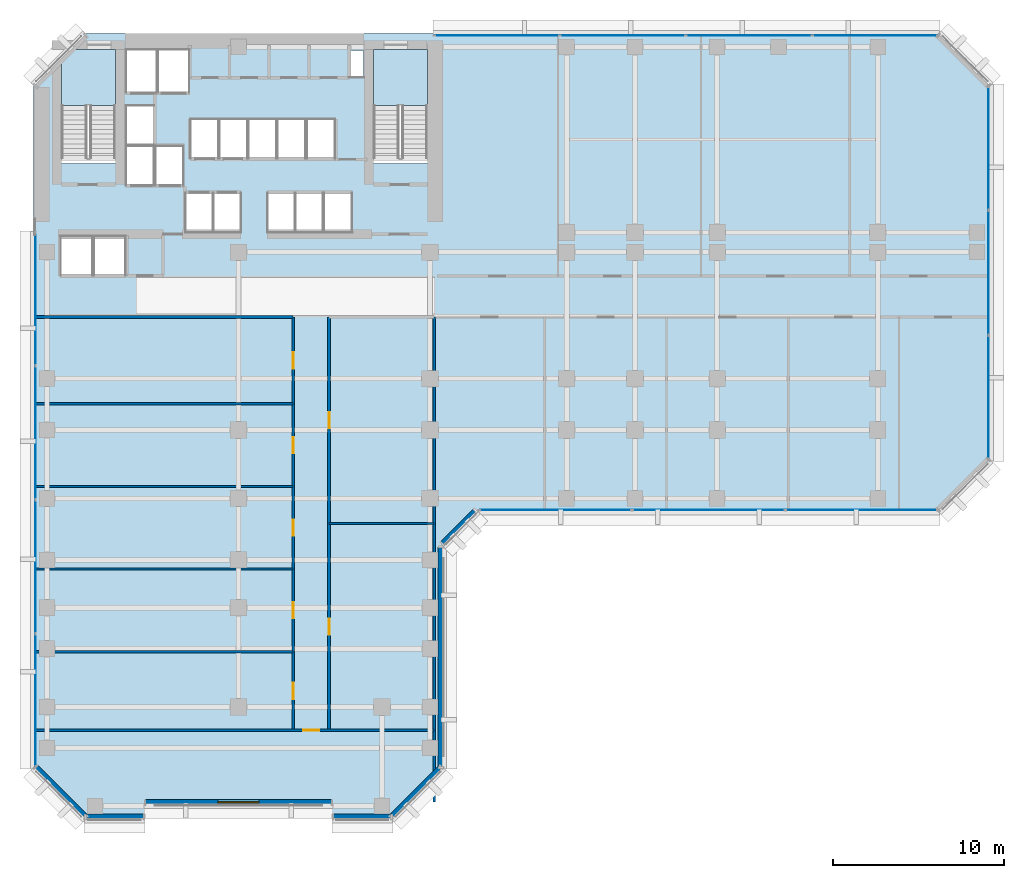
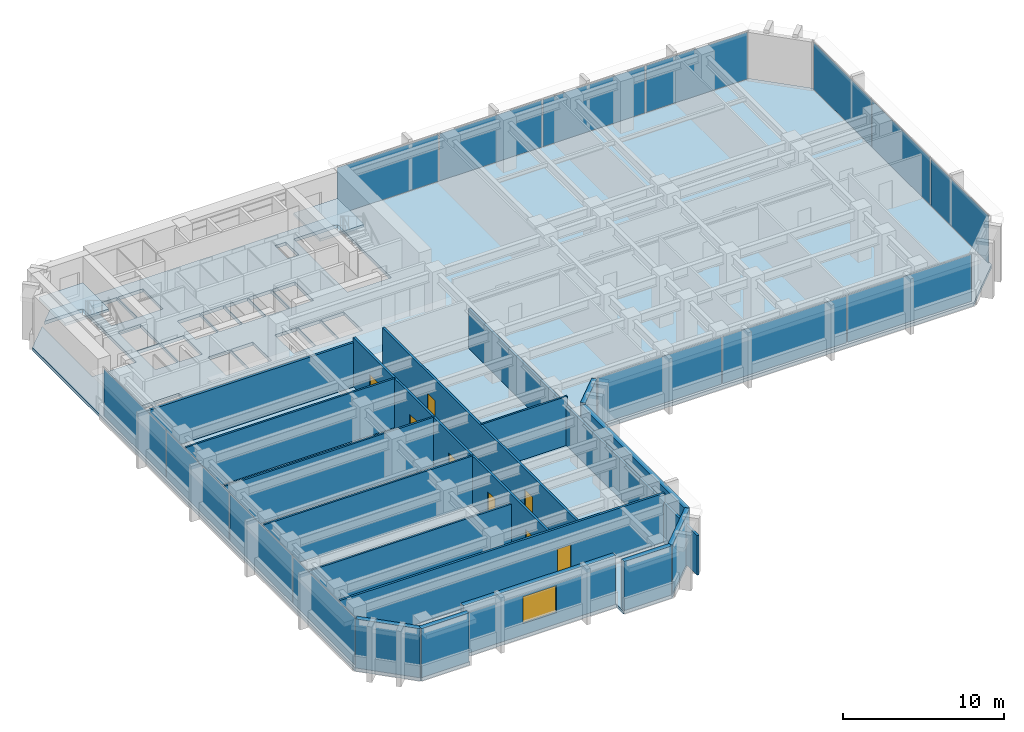
# One storey, part 6 of 14: 17 walls, 14 plates, 8 doors, 3 slabs, 1 window, 9 openings, 6 elements without a shape of their own.
"""IFC4 building model written with IfcOpenShell, lengths in metres."""

from ifc_helpers import new_model, si_unit, direction, frame, frame_2d, origin, origin_2d, place, context, subcontext, project, spatial, polyline, rectangle, outline, extrude, material, layer, layer_set, type_object, element, fill, aggregate, save


model = new_model("IFC4")

# Units and contexts
model_context = context("Model", 3, precision=1e-05, world=origin(), true_north=direction((0.0, 1.0)))
body_context = subcontext(model_context, "Body", "Model", "MODEL_VIEW")
ifc_project = project(units=[si_unit("LENGTHUNIT", "METRE"), si_unit("AREAUNIT", "SQUARE_METRE"), si_unit("VOLUMEUNIT", "CUBIC_METRE"), si_unit("PLANEANGLEUNIT", "RADIAN"), si_unit("MASSUNIT", "GRAM", prefix="KILO")], contexts=[model_context])

# Site, building, storey
site_placement = place(None, origin())
site = spatial("IfcSite", under=ifc_project, at=site_placement, CompositionType="ELEMENT")
building_placement = place(site_placement, origin())
building = spatial("IfcBuilding", under=site, at=building_placement, Name="Kefirva Bronze Tower", CompositionType="ELEMENT")
storey_placement = place(building_placement, frame((0.0, 0.0, 66.0)))
storey = spatial("IfcBuildingStorey", under=building, at=storey_placement, Name="L15", CompositionType="ELEMENT", Elevation=66.0)

# Stair, slab
ifc_material_1 = material(Name="Concrete C40/50", Category="concrete")
stair_type = type_object("IfcStairType", Name="RC Dogleg Protected Stair 24R", PredefinedType="HALF_TURN_STAIR", material=ifc_material_1)
stair_1_placement = place(storey_placement, origin())
stair_1 = element("IfcStair", 1, at=stair_1_placement, inside=storey, type_object=stair_type, Name="L15 Protected Exit Stair 1", PredefinedType="HALF_TURN_STAIR")
ifc_layer_1 = layer(ifc_material_1, 0.199951171875, Name="Concrete C40/50")
ifc_layer_set_1 = layer_set([ifc_layer_1], Name="Concrete C40/50")
slab_type_1 = type_object("IfcSlabType", Name="RC Stair Landing Slab 200mm", PredefinedType="LANDING", material=ifc_layer_set_1)
slab_1_placement = place(storey_placement, frame((0.0, 0.0, 1.780029296875)))
slab_1 = element("IfcSlab", 2, at=slab_1_placement, type_object=slab_type_1, Name="ST-1 landing 1", PredefinedType="LANDING", context=body_context, shape_type="SweptSolid", body=[
    extrude(outline(polyline([(4.800048828125, 41.780029296875), (4.800048828125, 45.050048828125), (1.64990234375, 45.050048828125), (1.64990234375, 41.780029296875), (4.800048828125, 41.780029296875)])), origin(), (0.0, 0.0, 1.0), 0.199951171875),
])
aggregate(stair_1, [slab_1])

stair_2_placement = place(storey_placement, origin())
stair_2 = element("IfcStair", 3, at=stair_2_placement, inside=storey, type_object=stair_type, Name="L15 Protected Exit Stair 2", PredefinedType="HALF_TURN_STAIR")
slab_2_placement = place(storey_placement, frame((0.0, 0.0, 1.780029296875)))
slab_2 = element("IfcSlab", 4, at=slab_2_placement, type_object=slab_type_1, Name="ST-2 landing 1", PredefinedType="LANDING", context=body_context, shape_type="SweptSolid", body=[
    extrude(outline(polyline([(23.050048828125, 41.780029296875), (23.050048828125, 45.050048828125), (19.89990234375, 45.050048828125), (19.89990234375, 41.780029296875), (23.050048828125, 41.780029296875)])), origin(), (0.0, 0.0, 1.0), 0.199951171875),
])
aggregate(stair_2, [slab_2])

# Slab
ifc_layer_2 = layer(ifc_material_1, 0.25, Name="Concrete C40/50")
ifc_layer_set_2 = layer_set([ifc_layer_2], Name="Concrete C40/50")
slab_type_2 = type_object("IfcSlabType", Name="RC Tower Floor Slab 250mm", PredefinedType="FLOOR", material=ifc_layer_set_2)
slab_3_placement = place(storey_placement, frame((0.0, 0.0, -0.25)))
element("IfcSlab", 5, at=slab_3_placement, inside=storey, type_object=slab_type_2, Name="L15 Structural Floor Slab", PredefinedType="FLOOR", context=body_context, shape_type="SweptSolid", body=[
    extrude(outline(polyline([(0.0, 3.0), (0.0, 43.0), (1.64990234375, 44.64990234375), (1.64990234375, 38.39990234375), (4.800048828125, 38.39990234375), (4.800048828125, 45.050048828125), (2.050048828125, 45.050048828125), (3.0, 46.0), (53.0, 46.0), (56.0, 43.0), (56.0, 21.0), (53.0, 18.0), (26.0, 18.0), (24.0, 16.0), (24.0, 3.0), (21.0, 0.0), (17.5, 0.0), (17.5, 0.85009765625), (6.5, 0.85009765625), (6.5, 0.0), (3.0, 0.0), (0.0, 3.0)]), holes=[polyline([(19.89990234375, 38.39990234375), (23.050048828125, 38.39990234375), (23.050048828125, 45.050048828125), (19.89990234375, 45.050048828125), (19.89990234375, 38.39990234375)]), polyline([(18.52001953125, 43.419921875), (19.320068359375, 43.419921875), (19.320068359375, 45.0), (18.52001953125, 45.0), (18.52001953125, 43.419921875)]), polyline([(17.0, 34.35009765625), (18.64990234375, 34.35009765625), (18.64990234375, 36.64990234375), (17.0, 36.64990234375), (17.0, 34.35009765625)]), polyline([(17.64990234375, 38.679931640625), (17.64990234375, 40.97998046875), (16.0, 40.97998046875), (16.0, 38.679931640625), (17.64990234375, 38.679931640625)]), polyline([(16.949951171875, 34.35009765625), (16.949951171875, 36.64990234375), (15.35009765625, 36.64990234375), (15.35009765625, 34.35009765625), (16.949951171875, 34.35009765625)]), polyline([(15.929931640625, 38.679931640625), (15.929931640625, 40.97998046875), (14.300048828125, 40.97998046875), (14.300048828125, 38.679931640625), (15.929931640625, 38.679931640625)]), polyline([(15.300048828125, 34.35009765625), (15.300048828125, 36.64990234375), (13.699951171875, 36.64990234375), (13.699951171875, 34.35009765625), (15.300048828125, 34.35009765625)]), polyline([(14.22998046875, 38.679931640625), (14.22998046875, 40.97998046875), (12.60009765625, 40.97998046875), (12.60009765625, 38.679931640625), (14.22998046875, 38.679931640625)]), polyline([(10.89990234375, 38.679931640625), (12.530029296875, 38.679931640625), (12.530029296875, 40.97998046875), (10.89990234375, 40.97998046875), (10.89990234375, 38.679931640625)]), polyline([(12.139892578125, 34.35009765625), (12.139892578125, 36.64990234375), (10.5400390625, 36.64990234375), (10.5400390625, 34.35009765625), (12.139892578125, 34.35009765625)]), polyline([(10.830078125, 38.679931640625), (10.830078125, 40.97998046875), (9.199951171875, 40.97998046875), (9.199951171875, 38.679931640625), (10.830078125, 38.679931640625)]), polyline([(10.5, 34.35009765625), (10.5, 36.64990234375), (8.89990234375, 36.64990234375), (8.89990234375, 34.35009765625), (10.5, 34.35009765625)]), polyline([(7.300048828125, 42.550048828125), (9.1201171875, 42.550048828125), (9.1201171875, 45.050048828125), (7.300048828125, 45.050048828125), (7.300048828125, 42.550048828125)]), polyline([(7.139892578125, 37.10009765625), (8.780029296875, 37.10009765625), (8.780029296875, 39.39990234375), (7.139892578125, 39.39990234375), (7.139892578125, 37.10009765625)]), polyline([(5.419921875, 42.550048828125), (7.239990234375, 42.550048828125), (7.239990234375, 45.050048828125), (5.419921875, 45.050048828125), (5.419921875, 42.550048828125)]), polyline([(7.06005859375, 39.47998046875), (7.06005859375, 41.780029296875), (5.419921875, 41.780029296875), (5.419921875, 39.47998046875), (7.06005859375, 39.47998046875)]), polyline([(5.419921875, 37.10009765625), (7.06005859375, 37.10009765625), (7.06005859375, 39.39990234375), (5.419921875, 39.39990234375), (5.419921875, 37.10009765625)]), polyline([(5.39990234375, 31.85009765625), (5.39990234375, 34.14990234375), (3.550048828125, 34.14990234375), (3.550048828125, 31.85009765625), (5.39990234375, 31.85009765625)]), polyline([(3.449951171875, 31.85009765625), (3.449951171875, 34.14990234375), (1.60009765625, 34.14990234375), (1.60009765625, 31.85009765625), (3.449951171875, 31.85009765625)])]), origin(), (0.0, 0.0, 1.0), 0.25),
])

# Curtain wall, plates
ifc_material_2 = material(Name="Bronze anodised aluminium", Category="aluminium")
ifc_layer_3 = layer(ifc_material_2, 0.199951171875, Name="Bronze anodised aluminium")
ifc_layer_set_3 = layer_set([ifc_layer_3], Name="Bronze anodised aluminium")
curtain_wall_type = type_object("IfcCurtainWallType", Name="Unitised Bronze Ribbon Curtain Wall Zone 1", PredefinedType="USERDEFINED", material=ifc_layer_set_3)
curtain_wall_1_placement = place(storey_placement, origin())
curtain_wall_1 = element("IfcCurtainWall", 6, at=curtain_wall_1_placement, inside=storey, type_object=curtain_wall_type, Name="L15 Curtain Wall 1", ObjectType="UNITISED CURTAIN WALL", PredefinedType="USERDEFINED")
ifc_material_3 = material(Name="Laminated low-E double glazing", Category="glass")
ifc_layer_4 = layer(ifc_material_3, 0.031982421875, Name="Laminated low-E double glazing")
ifc_layer_set_4 = layer_set([ifc_layer_4], Name="Laminated low-E double glazing")
plate_type = type_object("IfcPlateType", Name="Solar-Control Low-E Vision Panel 32mm", PredefinedType="CURTAIN_PANEL", material=ifc_layer_set_4)
plate_1_placement = place(storey_placement, frame((30.555419921875, 18.1201171875, 0.074951171875), z_axis=(0.0, 0.0, 1.0), x_axis=(1.0, 0.0, 0.0)))
plate_1 = element("IfcPlate", 7, at=plate_1_placement, type_object=plate_type, Name="CW-01 panel 1.1", PredefinedType="CURTAIN_PANEL", context=body_context, shape_type="SweptSolid", body=[
    extrude(rectangle(XDim=8.850830078125, YDim=0.031982421875, at=origin_2d()), origin(), (0.0, 0.0, 1.0), 3.56005859375),
])
plate_2_placement = place(storey_placement, frame((39.5, 18.1201171875, 0.074951171875), z_axis=(0.0, 0.0, 1.0), x_axis=(1.0, 0.0, 0.0)))
plate_2 = element("IfcPlate", 8, at=plate_2_placement, type_object=plate_type, Name="CW-01 panel 2.1", PredefinedType="CURTAIN_PANEL", context=body_context, shape_type="SweptSolid", body=[
    extrude(rectangle(XDim=8.888427734375, YDim=0.031982421875, at=origin_2d()), origin(), (0.0, 0.0, 1.0), 3.56005859375),
])
plate_3_placement = place(storey_placement, frame((48.444580078125, 18.1201171875, 0.074951171875), z_axis=(0.0, 0.0, 1.0), x_axis=(1.0, 0.0, 0.0)))
plate_3 = element("IfcPlate", 9, at=plate_3_placement, type_object=plate_type, Name="CW-01 panel 3.1", PredefinedType="CURTAIN_PANEL", context=body_context, shape_type="SweptSolid", body=[
    extrude(rectangle(XDim=8.850830078125, YDim=0.031982421875, at=origin_2d()), origin(), (0.0, 0.0, 1.0), 3.56005859375),
])
aggregate(curtain_wall_1, [plate_1, plate_2, plate_3])

curtain_wall_2_placement = place(storey_placement, origin())
curtain_wall_2 = element("IfcCurtainWall", 10, at=curtain_wall_2_placement, inside=storey, type_object=curtain_wall_type, Name="L15 Curtain Wall 2", ObjectType="UNITISED CURTAIN WALL", PredefinedType="USERDEFINED")
plate_4_placement = place(storey_placement, frame((55.8798828125, 24.72216796875, 0.074951171875), z_axis=(0.0, 0.0, 1.0), x_axis=(0.0, 1.0, 0.0)))
plate_4 = element("IfcPlate", 11, at=plate_4_placement, type_object=plate_type, Name="CW-01 panel 1.1", PredefinedType="CURTAIN_PANEL", context=body_context, shape_type="SweptSolid", body=[
    extrude(rectangle(XDim=7.18408203125, YDim=0.031982421875, at=origin_2d()), origin(), (0.0, 0.0, 1.0), 3.56005859375),
])
plate_5_placement = place(storey_placement, frame((55.8798828125, 32.0, 0.074951171875), z_axis=(0.0, 0.0, 1.0), x_axis=(0.0, 1.0, 0.0)))
plate_5 = element("IfcPlate", 12, at=plate_5_placement, type_object=plate_type, Name="CW-01 panel 2.1", PredefinedType="CURTAIN_PANEL", context=body_context, shape_type="SweptSolid", body=[
    extrude(rectangle(XDim=7.2216796875, YDim=0.031982421875, at=origin_2d()), origin(), (0.0, 0.0, 1.0), 3.56005859375),
])
plate_6_placement = place(storey_placement, frame((55.8798828125, 39.27783203125, 0.074951171875), z_axis=(0.0, 0.0, 1.0), x_axis=(0.0, 1.0, 0.0)))
plate_6 = element("IfcPlate", 13, at=plate_6_placement, type_object=plate_type, Name="CW-01 panel 3.1", PredefinedType="CURTAIN_PANEL", context=body_context, shape_type="SweptSolid", body=[
    extrude(rectangle(XDim=7.18408203125, YDim=0.031982421875, at=origin_2d()), origin(), (0.0, 0.0, 1.0), 3.56005859375),
])
aggregate(curtain_wall_2, [plate_4, plate_5, plate_6])

curtain_wall_3_placement = place(storey_placement, origin())
curtain_wall_3 = element("IfcCurtainWall", 14, at=curtain_wall_3_placement, inside=storey, type_object=curtain_wall_type, Name="L15 Curtain Wall 3", ObjectType="UNITISED CURTAIN WALL", PredefinedType="USERDEFINED")
plate_7_placement = place(storey_placement, frame((49.233642578125, 45.8798828125, 0.074951171875), z_axis=(0.0, 0.0, 1.0), x_axis=(-1.0, 0.0, 0.0)))
plate_7 = element("IfcPlate", 15, at=plate_7_placement, type_object=plate_type, Name="CW-01 panel 1.1", PredefinedType="CURTAIN_PANEL", context=body_context, shape_type="SweptSolid", body=[
    extrude(rectangle(XDim=7.2724609375, YDim=0.031982421875, at=origin_2d()), origin(), (0.0, 0.0, 1.0), 3.56005859375),
])
plate_8_placement = place(storey_placement, frame((41.867431640625, 45.8798828125, 0.074951171875), z_axis=(0.0, 0.0, 1.0), x_axis=(-1.0, 0.0, 0.0)))
plate_8 = element("IfcPlate", 16, at=plate_8_placement, type_object=plate_type, Name="CW-01 panel 2.1", PredefinedType="CURTAIN_PANEL", context=body_context, shape_type="SweptSolid", body=[
    extrude(rectangle(XDim=7.31005859375, YDim=0.031982421875, at=origin_2d()), origin(), (0.0, 0.0, 1.0), 3.56005859375),
])
plate_9_placement = place(storey_placement, frame((34.482421875, 45.8798828125, 0.074951171875), z_axis=(0.0, 0.0, 1.0), x_axis=(-1.0, 0.0, 0.0)))
plate_9 = element("IfcPlate", 17, at=plate_9_placement, type_object=plate_type, Name="CW-01 panel 3.1", PredefinedType="CURTAIN_PANEL", context=body_context, shape_type="SweptSolid", body=[
    extrude(rectangle(XDim=7.31005859375, YDim=0.031982421875, at=origin_2d()), origin(), (0.0, 0.0, 1.0), 3.56005859375),
])
plate_10_placement = place(storey_placement, frame((27.1162109375, 45.8798828125, 0.074951171875), z_axis=(0.0, 0.0, 1.0), x_axis=(-1.0, 0.0, 0.0)))
plate_10 = element("IfcPlate", 18, at=plate_10_placement, type_object=plate_type, Name="CW-01 panel 4.1", PredefinedType="CURTAIN_PANEL", context=body_context, shape_type="SweptSolid", body=[
    extrude(rectangle(XDim=7.2724609375, YDim=0.031982421875, at=origin_2d()), origin(), (0.0, 0.0, 1.0), 3.56005859375),
])
aggregate(curtain_wall_3, [plate_7, plate_8, plate_9, plate_10])

curtain_wall_4_placement = place(storey_placement, origin())
curtain_wall_4 = element("IfcCurtainWall", 19, at=curtain_wall_4_placement, inside=storey, type_object=curtain_wall_type, Name="L15 Curtain Wall 4", ObjectType="UNITISED CURTAIN WALL", PredefinedType="USERDEFINED")
plate_11_placement = place(storey_placement, frame((0.1201171875, 30.458740234375, 0.074951171875), z_axis=(0.0, 0.0, 1.0), x_axis=(0.0, -1.0, 0.0)))
plate_11 = element("IfcPlate", 20, at=plate_11_placement, type_object=plate_type, Name="CW-01 panel 1.1", PredefinedType="CURTAIN_PANEL", context=body_context, shape_type="SweptSolid", body=[
    extrude(rectangle(XDim=7.722412109375, YDim=0.031982421875, at=origin_2d()), origin(), (0.0, 0.0, 1.0), 3.56005859375),
])
plate_12_placement = place(storey_placement, frame((0.1201171875, 22.642578125, 0.074951171875), z_axis=(0.0, 0.0, 1.0), x_axis=(0.0, -1.0, 0.0)))
plate_12 = element("IfcPlate", 21, at=plate_12_placement, type_object=plate_type, Name="CW-01 panel 2.1", PredefinedType="CURTAIN_PANEL", context=body_context, shape_type="SweptSolid", body=[
    extrude(rectangle(XDim=7.760009765625, YDim=0.031982421875, at=origin_2d()), origin(), (0.0, 0.0, 1.0), 3.56005859375),
])
plate_13_placement = place(storey_placement, frame((0.1201171875, 14.8076171875, 0.074951171875), z_axis=(0.0, 0.0, 1.0), x_axis=(0.0, -1.0, 0.0)))
plate_13 = element("IfcPlate", 22, at=plate_13_placement, type_object=plate_type, Name="CW-01 panel 3.1", PredefinedType="CURTAIN_PANEL", context=body_context, shape_type="SweptSolid", body=[
    extrude(rectangle(XDim=7.760009765625, YDim=0.031982421875, at=origin_2d()), origin(), (0.0, 0.0, 1.0), 3.56005859375),
])
plate_14_placement = place(storey_placement, frame((0.1201171875, 6.9912109375, 0.074951171875), z_axis=(0.0, 0.0, 1.0), x_axis=(0.0, -1.0, 0.0)))
plate_14 = element("IfcPlate", 23, at=plate_14_placement, type_object=plate_type, Name="CW-01 panel 4.1", PredefinedType="CURTAIN_PANEL", context=body_context, shape_type="SweptSolid", body=[
    extrude(rectangle(XDim=7.722412109375, YDim=0.031982421875, at=origin_2d()), origin(), (0.0, 0.0, 1.0), 3.56005859375),
])
aggregate(curtain_wall_4, [plate_11, plate_12, plate_13, plate_14])

# Walls
ifc_material_4 = material(Name="Gypsum acoustic partition")
ifc_layer_5 = layer(ifc_material_4, 0.1298828125, Name="Gypsum acoustic partition")
ifc_layer_set_5 = layer_set([ifc_layer_5], Name="Gypsum acoustic partition")
wall_type_1 = type_object("IfcWallType", Name="Acoustic Office Partition 130mm", PredefinedType="PARTITIONING", material=ifc_layer_set_5)
wall_1_placement = place(storey_placement, frame((0.18994140625, 9.830322265625, 0.0), z_axis=(0.0, 0.0, 1.0), x_axis=(1.0, 0.0, 0.0)))
element("IfcWall", 24, at=wall_1_placement, inside=storey, type_object=wall_type_1, Name="L15 Partition W-L15-SWD1", PredefinedType="PARTITIONING", context=body_context, shape_type="SweptSolid", body=[
    extrude(rectangle(XDim=15.010009765625, YDim=0.1298828125, at=frame_2d((7.5048828125, 0.0))), origin(), (0.0, 0.0, 1.0), 2.9951171875),
])
for number, where, z_axis, x_axis, name in (
    (25, (0.18994140625, 14.662353515625, 0.0), (0.0, 0.0, 1.0), (1.0, 0.0, 0.0), "L15 Partition W-L15-SWD2"),
    (26, (0.18994140625, 19.494384765625, 0.0), (0.0, 0.0, 1.0), (1.0, 0.0, 0.0), "L15 Partition W-L15-SWD3"),
    (27, (0.18994140625, 24.326416015625, 0.0), (0.0, 0.0, 1.0), (1.0, 0.0, 0.0), "L15 Partition W-L15-SWD4"),
):
    element("IfcWall", number, at=place(storey_placement, frame(where, z_axis=z_axis, x_axis=x_axis)), inside=storey, type_object=wall_type_1, Name=name, PredefinedType="PARTITIONING", context=body_context, shape_type="SweptSolid", body=[
        extrude(rectangle(XDim=15.010009765625, YDim=0.1298828125, at=frame_2d((7.5048828125, 0.0))), origin(), (0.0, 0.0, 1.0), 3.7099609375),
    ])
wall_2_placement = place(storey_placement, frame((17.300048828125, 17.320068359375, 0.0), z_axis=(0.0, 0.0, 1.0), x_axis=(1.0, 0.0, 0.0)))
element("IfcWall", 28, at=wall_2_placement, inside=storey, type_object=wall_type_1, Name="L15 Partition W-L15-SED1", PredefinedType="PARTITIONING", context=body_context, shape_type="SweptSolid", body=[
    extrude(rectangle(XDim=6.14990234375, YDim=0.1298828125, at=frame_2d((3.074951171875, 0.0))), origin(), (0.0, 0.0, 1.0), 3.7099609375),
])
ifc_material_5 = material(Name="Precast concrete C40/50", Category="concrete")
ifc_layer_6 = layer(ifc_material_5, 0.320068359375, Name="Precast concrete C40/50")
ifc_layer_set_6 = layer_set([ifc_layer_6], Name="Precast concrete C40/50")
wall_type_2 = type_object("IfcWallType", Name="Precast Insulated Exterior Wall 320mm", PredefinedType="SOLIDWALL", material=ifc_layer_set_6)
wall_3_placement = place(storey_placement, frame((3.054931640625, 0.159912109375, 0.0), z_axis=(0.0, 0.0, 1.0), x_axis=(1.0, 0.0, 0.0)))
element("IfcWall", 29, at=wall_3_placement, inside=storey, type_object=wall_type_2, Name="L15 Exterior Facade Wall 1", PredefinedType="SOLIDWALL", context=body_context, shape_type="SweptSolid", body=[
    extrude(rectangle(XDim=3.39013671875, YDim=0.320068359375, at=frame_2d((1.695068359375, 0.0))), origin(), (0.0, 0.0, 1.0), 3.7099609375),
])

# Wall, opening, window
wall_4_placement = place(storey_placement, frame((6.554931640625, 1.010009765625, 0.0), z_axis=(0.0, 0.0, 1.0), x_axis=(1.0, 0.0, 0.0)))
wall_4 = element("IfcWall", 30, at=wall_4_placement, inside=storey, type_object=wall_type_2, Name="L15 Exterior Facade Wall 2", PredefinedType="SOLIDWALL", context=body_context, shape_type="SweptSolid", body=[
    extrude(rectangle(XDim=10.89013671875, YDim=0.320068359375, at=frame_2d((5.445068359375, 0.0))), origin(), (0.0, 0.0, 1.0), 3.7099609375),
])
opening_1_placement = place(wall_4_placement, frame((4.2451171875, 0.0, 0.85009765625)))
opening_1 = element("IfcOpeningElement", 31, at=opening_1_placement, cuts=wall_4, Name="Opening WN-01", PredefinedType="OPENING", context=body_context, shape_type="SweptSolid", body=[
    extrude(rectangle(XDim=2.39990234375, YDim=2.050048828125, at=frame_2d((1.199951171875, 1.02490234375))), frame((0.0, 0.169921875, 0.0), z_axis=(0.0, -1.0, 0.0), x_axis=(1.0, 0.0, 0.0)), (0.0, 0.0, 1.0), 0.340087890625),
])
window_type = type_object("IfcWindowType", Name="Streamline Ribbon Window 2400x2050", PartitioningType="SINGLE_PANEL", PredefinedType="WINDOW", material=ifc_material_3)
window_placement = place(opening_1_placement, origin())
window = element("IfcWindow", 32, at=window_placement, inside=storey, type_object=window_type, Name="L15 Ribbon Window 2", OverallHeight=2.050048828125, OverallWidth=2.39990234375, PartitioningType="SINGLE_PANEL", PredefinedType="WINDOW", context=body_context, shape_type="SweptSolid", body=[
    extrude(rectangle(XDim=2.39990234375, YDim=2.050048828125, at=frame_2d((1.199951171875, 1.02490234375))), frame((0.0, 0.030029296875, 0.0), z_axis=(0.0, -1.0, 0.0), x_axis=(1.0, 0.0, 0.0)), (0.0, 0.0, 1.0), 0.06005859375),
])
fill(opening_1, window)

# Walls
wall_5_placement = place(storey_placement, frame((17.554931640625, 0.159912109375, 0.0), z_axis=(0.0, 0.0, 1.0), x_axis=(1.0, 0.0, 0.0)))
element("IfcWall", 33, at=wall_5_placement, inside=storey, type_object=wall_type_2, Name="L15 Exterior Facade Wall 3", PredefinedType="SOLIDWALL", context=body_context, shape_type="SweptSolid", body=[
    extrude(rectangle(XDim=3.39013671875, YDim=0.320068359375, at=frame_2d((1.695068359375, 0.0))), origin(), (0.0, 0.0, 1.0), 3.7099609375),
])
wall_6_placement = place(storey_placement, frame((20.92578125, 0.152099609375, 0.0), z_axis=(0.0, 0.0, 1.0), x_axis=(0.707106781187, 0.707106781187, 0.0)))
element("IfcWall", 34, at=wall_6_placement, inside=storey, type_object=wall_type_2, Name="L15 Exterior Facade Wall 4", PredefinedType="SOLIDWALL", context=body_context, shape_type="SweptSolid", body=[
    extrude(rectangle(XDim=4.132568359375, YDim=0.320068359375, at=frame_2d((2.06640625, 0.0))), origin(), (0.0, 0.0, 1.0), 3.7099609375),
])
wall_7_placement = place(storey_placement, frame((23.840087890625, 3.054931640625, 0.0), z_axis=(0.0, 0.0, 1.0), x_axis=(0.0, 1.0, 0.0)))
element("IfcWall", 35, at=wall_7_placement, inside=storey, type_object=wall_type_2, Name="L15 Exterior Facade Wall 5", PredefinedType="SOLIDWALL", context=body_context, shape_type="SweptSolid", body=[
    extrude(rectangle(XDim=12.89013671875, YDim=0.320068359375, at=frame_2d((6.445068359375, 0.0))), origin(), (0.0, 0.0, 1.0), 3.7099609375),
])
wall_8_placement = place(storey_placement, frame((23.92578125, 16.152099609375, 0.0), z_axis=(0.0, 0.0, 1.0), x_axis=(0.707106781187, 0.707106781187, 0.0)))
element("IfcWall", 36, at=wall_8_placement, inside=storey, type_object=wall_type_2, Name="L15 Exterior Facade Wall 6", PredefinedType="SOLIDWALL", context=body_context, shape_type="SweptSolid", body=[
    extrude(rectangle(XDim=2.71826171875, YDim=0.320068359375, at=frame_2d((1.359130859375, 0.0))), origin(), (0.0, 0.0, 1.0), 3.7099609375),
])
wall_9_placement = place(storey_placement, frame((0.152099609375, 3.07421875, 0.0), z_axis=(0.0, 0.0, 1.0), x_axis=(0.707106781187, -0.707106781187, 0.0)))
element("IfcWall", 37, at=wall_9_placement, inside=storey, type_object=wall_type_2, Name="L15 Exterior Facade Wall 10", PredefinedType="SOLIDWALL", context=body_context, shape_type="SweptSolid", body=[
    extrude(rectangle(XDim=4.132568359375, YDim=0.320068359375, at=frame_2d((2.06640625, 0.0))), origin(), (0.0, 0.0, 1.0), 3.7099609375),
])

# Wall, openings, doors
ifc_layer_7 = layer(ifc_material_4, 0.159912109375, Name="Gypsum acoustic partition")
ifc_layer_set_7 = layer_set([ifc_layer_7], Name="Gypsum acoustic partition")
wall_type_3 = type_object("IfcWallType", Name="Protected Corridor Partition 160mm", PredefinedType="PARTITIONING", material=ifc_layer_set_7)
wall_10_placement = place(storey_placement, frame((15.199951171875, 5.239990234375, 0.0), z_axis=(0.0, 0.0, 1.0), x_axis=(0.0, 1.0, 0.0)))
wall_10 = element("IfcWall", 38, at=wall_10_placement, inside=storey, type_object=wall_type_3, Name="L15 Partition W-L15-SWCORW", PredefinedType="PARTITIONING", context=body_context, shape_type="SweptSolid", body=[
    extrude(rectangle(XDim=24.159912109375, YDim=0.159912109375, at=frame_2d((12.080078125, 0.0))), origin(), (0.0, 0.0, 1.0), 3.7099609375),
])
opening_2_placement = place(wall_10_placement, frame((2.770263671875, 0.0, 0.0), z_axis=(0.0, 0.0, 1.0), x_axis=(-1.0, 0.0, 0.0)))
opening_2 = element("IfcOpeningElement", 39, at=opening_2_placement, cuts=wall_10, Name="Opening L15-D-SW1", PredefinedType="OPENING", context=body_context, shape_type="SweptSolid", body=[
    extrude(rectangle(XDim=0.949951171875, YDim=2.14990234375, at=frame_2d((0.47509765625, 1.074951171875))), frame((0.0, 0.08984375, 0.0), z_axis=(0.0, -1.0, 0.0), x_axis=(1.0, 0.0, 0.0)), (0.0, 0.0, 1.0), 0.179931640625),
])
opening_3_placement = place(wall_10_placement, frame((7.4814453125, 0.0, 0.0), z_axis=(0.0, 0.0, 1.0), x_axis=(-1.0, 0.0, 0.0)))
opening_3 = element("IfcOpeningElement", 40, at=opening_3_placement, cuts=wall_10, Name="Opening L15-D-SW2", PredefinedType="OPENING", context=body_context, shape_type="SweptSolid", body=[
    extrude(rectangle(XDim=0.949951171875, YDim=2.14990234375, at=frame_2d((0.47509765625, 1.074951171875))), frame((0.0, 0.08984375, 0.0), z_axis=(0.0, -1.0, 0.0), x_axis=(1.0, 0.0, 0.0)), (0.0, 0.0, 1.0), 0.179931640625),
])
opening_4_placement = place(wall_10_placement, frame((12.313232421875, 0.0, 0.0), z_axis=(0.0, 0.0, 1.0), x_axis=(-1.0, 0.0, 0.0)))
opening_4 = element("IfcOpeningElement", 41, at=opening_4_placement, cuts=wall_10, Name="Opening L15-D-SW3", PredefinedType="OPENING", context=body_context, shape_type="SweptSolid", body=[
    extrude(rectangle(XDim=0.949951171875, YDim=2.14990234375, at=frame_2d((0.47509765625, 1.074951171875))), frame((0.0, 0.08984375, 0.0), z_axis=(0.0, -1.0, 0.0), x_axis=(1.0, 0.0, 0.0)), (0.0, 0.0, 1.0), 0.179931640625),
])
opening_5_placement = place(wall_10_placement, frame((17.145263671875, 0.0, 0.0), z_axis=(0.0, 0.0, 1.0), x_axis=(-1.0, 0.0, 0.0)))
opening_5 = element("IfcOpeningElement", 42, at=opening_5_placement, cuts=wall_10, Name="Opening L15-D-SW4", PredefinedType="OPENING", context=body_context, shape_type="SweptSolid", body=[
    extrude(rectangle(XDim=0.949951171875, YDim=2.14990234375, at=frame_2d((0.47509765625, 1.074951171875))), frame((0.0, 0.08984375, 0.0), z_axis=(0.0, -1.0, 0.0), x_axis=(1.0, 0.0, 0.0)), (0.0, 0.0, 1.0), 0.179931640625),
])
opening_6_placement = place(wall_10_placement, frame((22.09814453125, 0.0, 0.0), z_axis=(0.0, 0.0, 1.0), x_axis=(-1.0, 0.0, 0.0)))
opening_6 = element("IfcOpeningElement", 43, at=opening_6_placement, cuts=wall_10, Name="Opening L15-D-SW5", PredefinedType="OPENING", context=body_context, shape_type="SweptSolid", body=[
    extrude(rectangle(XDim=0.949951171875, YDim=2.14990234375, at=frame_2d((0.47509765625, 1.074951171875))), frame((0.0, 0.08984375, 0.0), z_axis=(0.0, -1.0, 0.0), x_axis=(1.0, 0.0, 0.0)), (0.0, 0.0, 1.0), 0.179931640625),
])
ifc_material_6 = material(Name="Acoustic hardwood oak", Category="wood")
door_type = type_object("IfcDoorType", Name="Office & Meeting Room Door 950x2150", OperationType="NOTDEFINED", PredefinedType="DOOR", material=ifc_material_6)
door_1_placement = place(opening_2_placement, origin())
door_1 = element("IfcDoor", 44, at=door_1_placement, inside=storey, type_object=door_type, Name="Door L15-D-SW1", OperationType="SINGLE_SWING_RIGHT", OverallHeight=2.14990234375, OverallWidth=0.949951171875, PredefinedType="DOOR", context=body_context, shape_type="SweptSolid", body=[
    extrude(rectangle(XDim=0.949951171875, YDim=2.14990234375, at=frame_2d((0.47509765625, 1.074951171875))), frame((0.0, 0.02490234375, 0.0), z_axis=(0.0, -1.0, 0.0), x_axis=(1.0, 0.0, 0.0)), (0.0, 0.0, 1.0), 0.050048828125),
])
fill(opening_2, door_1)
door_2_placement = place(opening_3_placement, origin())
door_2 = element("IfcDoor", 45, at=door_2_placement, inside=storey, type_object=door_type, Name="Door L15-D-SW2", OperationType="SINGLE_SWING_LEFT", OverallHeight=2.14990234375, OverallWidth=0.949951171875, PredefinedType="DOOR", context=body_context, shape_type="SweptSolid", body=[
    extrude(rectangle(XDim=0.949951171875, YDim=2.14990234375, at=frame_2d((0.47509765625, 1.074951171875))), frame((0.0, 0.02490234375, 0.0), z_axis=(0.0, -1.0, 0.0), x_axis=(1.0, 0.0, 0.0)), (0.0, 0.0, 1.0), 0.050048828125),
])
fill(opening_3, door_2)
door_3_placement = place(opening_4_placement, origin())
door_3 = element("IfcDoor", 46, at=door_3_placement, inside=storey, type_object=door_type, Name="Door L15-D-SW3", OperationType="SINGLE_SWING_RIGHT", OverallHeight=2.14990234375, OverallWidth=0.949951171875, PredefinedType="DOOR", context=body_context, shape_type="SweptSolid", body=[
    extrude(rectangle(XDim=0.949951171875, YDim=2.14990234375, at=frame_2d((0.47509765625, 1.074951171875))), frame((0.0, 0.02490234375, 0.0), z_axis=(0.0, -1.0, 0.0), x_axis=(1.0, 0.0, 0.0)), (0.0, 0.0, 1.0), 0.050048828125),
])
fill(opening_4, door_3)
door_4_placement = place(opening_5_placement, origin())
door_4 = element("IfcDoor", 47, at=door_4_placement, inside=storey, type_object=door_type, Name="Door L15-D-SW4", OperationType="SINGLE_SWING_LEFT", OverallHeight=2.14990234375, OverallWidth=0.949951171875, PredefinedType="DOOR", context=body_context, shape_type="SweptSolid", body=[
    extrude(rectangle(XDim=0.949951171875, YDim=2.14990234375, at=frame_2d((0.47509765625, 1.074951171875))), frame((0.0, 0.02490234375, 0.0), z_axis=(0.0, -1.0, 0.0), x_axis=(1.0, 0.0, 0.0)), (0.0, 0.0, 1.0), 0.050048828125),
])
fill(opening_5, door_4)
door_5_placement = place(opening_6_placement, origin())
door_5 = element("IfcDoor", 48, at=door_5_placement, inside=storey, type_object=door_type, Name="Door L15-D-SW5", OperationType="SINGLE_SWING_RIGHT", OverallHeight=2.14990234375, OverallWidth=0.949951171875, PredefinedType="DOOR", context=body_context, shape_type="SweptSolid", body=[
    extrude(rectangle(XDim=0.949951171875, YDim=2.14990234375, at=frame_2d((0.47509765625, 1.074951171875))), frame((0.0, 0.02490234375, 0.0), z_axis=(0.0, -1.0, 0.0), x_axis=(1.0, 0.0, 0.0)), (0.0, 0.0, 1.0), 0.050048828125),
])
fill(opening_6, door_5)

wall_11_placement = place(storey_placement, frame((17.300048828125, 5.239990234375, 0.0), z_axis=(0.0, 0.0, 1.0), x_axis=(0.0, 1.0, 0.0)))
wall_11 = element("IfcWall", 49, at=wall_11_placement, inside=storey, type_object=wall_type_3, Name="L15 Partition W-L15-SECORE", PredefinedType="PARTITIONING", context=body_context, shape_type="SweptSolid", body=[
    extrude(rectangle(XDim=24.159912109375, YDim=0.159912109375, at=frame_2d((12.080078125, 0.0))), origin(), (0.0, 0.0, 1.0), 3.7099609375),
])
opening_7_placement = place(wall_11_placement, frame((5.56494140625, 0.0, 0.0)))
opening_7 = element("IfcOpeningElement", 50, at=opening_7_placement, cuts=wall_11, Name="Opening L15-D-SE1", PredefinedType="OPENING", context=body_context, shape_type="SweptSolid", body=[
    extrude(rectangle(XDim=0.949951171875, YDim=2.14990234375, at=frame_2d((0.47509765625, 1.074951171875))), frame((0.0, 0.08984375, 0.0), z_axis=(0.0, -1.0, 0.0), x_axis=(1.0, 0.0, 0.0)), (0.0, 0.0, 1.0), 0.179931640625),
])
opening_8_placement = place(wall_11_placement, frame((17.64501953125, 0.0, 0.0)))
opening_8 = element("IfcOpeningElement", 51, at=opening_8_placement, cuts=wall_11, Name="Opening L15-D-SE2", PredefinedType="OPENING", context=body_context, shape_type="SweptSolid", body=[
    extrude(rectangle(XDim=0.949951171875, YDim=2.14990234375, at=frame_2d((0.47509765625, 1.074951171875))), frame((0.0, 0.08984375, 0.0), z_axis=(0.0, -1.0, 0.0), x_axis=(1.0, 0.0, 0.0)), (0.0, 0.0, 1.0), 0.179931640625),
])
door_6_placement = place(opening_7_placement, origin())
door_6 = element("IfcDoor", 52, at=door_6_placement, inside=storey, type_object=door_type, Name="Door L15-D-SE1", OperationType="SINGLE_SWING_LEFT", OverallHeight=2.14990234375, OverallWidth=0.949951171875, PredefinedType="DOOR", context=body_context, shape_type="SweptSolid", body=[
    extrude(rectangle(XDim=0.949951171875, YDim=2.14990234375, at=frame_2d((0.47509765625, 1.074951171875))), frame((0.0, 0.02490234375, 0.0), z_axis=(0.0, -1.0, 0.0), x_axis=(1.0, 0.0, 0.0)), (0.0, 0.0, 1.0), 0.050048828125),
])
fill(opening_7, door_6)
door_7_placement = place(opening_8_placement, origin())
door_7 = element("IfcDoor", 53, at=door_7_placement, inside=storey, type_object=door_type, Name="Door L15-D-SE2", OperationType="SINGLE_SWING_RIGHT", OverallHeight=2.14990234375, OverallWidth=0.949951171875, PredefinedType="DOOR", context=body_context, shape_type="SweptSolid", body=[
    extrude(rectangle(XDim=0.949951171875, YDim=2.14990234375, at=frame_2d((0.47509765625, 1.074951171875))), frame((0.0, 0.02490234375, 0.0), z_axis=(0.0, -1.0, 0.0), x_axis=(1.0, 0.0, 0.0)), (0.0, 0.0, 1.0), 0.050048828125),
])
fill(opening_8, door_7)

# Wall, opening, door
wall_12_placement = place(storey_placement, frame((0.18994140625, 5.239990234375, 0.0), z_axis=(0.0, 0.0, 1.0), x_axis=(1.0, 0.0, 0.0)))
wall_12 = element("IfcWall", 54, at=wall_12_placement, inside=storey, type_object=wall_type_3, Name="L15 Partition W-L15-SBEND", PredefinedType="PARTITIONING", context=body_context, shape_type="SweptSolid", body=[
    extrude(rectangle(XDim=23.260009765625, YDim=0.159912109375, at=frame_2d((11.6298828125, 0.0))), origin(), (0.0, 0.0, 1.0), 3.7099609375),
])
opening_9_placement = place(wall_12_placement, frame((15.590087890625, 0.0, 0.0)))
opening_9 = element("IfcOpeningElement", 55, at=opening_9_placement, cuts=wall_12, Name="Opening L15-D-SEND1", PredefinedType="OPENING", context=body_context, shape_type="SweptSolid", body=[
    extrude(rectangle(XDim=0.949951171875, YDim=2.14990234375, at=frame_2d((0.47509765625, 1.074951171875))), frame((0.0, 0.08984375, 0.0), z_axis=(0.0, -1.0, 0.0), x_axis=(1.0, 0.0, 0.0)), (0.0, 0.0, 1.0), 0.179931640625),
])
door_8_placement = place(opening_9_placement, origin())
door_8 = element("IfcDoor", 56, at=door_8_placement, inside=storey, type_object=door_type, Name="Door L15-D-SEND1", OperationType="SINGLE_SWING_LEFT", OverallHeight=2.14990234375, OverallWidth=0.949951171875, PredefinedType="DOOR", context=body_context, shape_type="SweptSolid", body=[
    extrude(rectangle(XDim=0.949951171875, YDim=2.14990234375, at=frame_2d((0.47509765625, 1.074951171875))), frame((0.0, 0.02490234375, 0.0), z_axis=(0.0, -1.0, 0.0), x_axis=(1.0, 0.0, 0.0)), (0.0, 0.0, 1.0), 0.050048828125),
])
fill(opening_9, door_8)

# Walls
wall_13_placement = place(storey_placement, frame((0.18994140625, 29.39990234375, 0.0), z_axis=(0.0, 0.0, 1.0), x_axis=(1.0, 0.0, 0.0)))
element("IfcWall", 57, at=wall_13_placement, inside=storey, type_object=wall_type_3, Name="L15 Partition W-L15-NWT", PredefinedType="PARTITIONING", context=body_context, shape_type="SweptSolid", body=[
    extrude(rectangle(XDim=15.010009765625, YDim=0.159912109375, at=frame_2d((7.5048828125, 0.0))), origin(), (0.0, 0.0, 1.0), 3.364990234375),
])
wall_14_placement = place(storey_placement, frame((23.449951171875, 1.0400390625, 0.0), z_axis=(0.0, 0.0, 1.0), x_axis=(0.0, 1.0, 0.0)))
element("IfcWall", 58, at=wall_14_placement, inside=storey, type_object=wall_type_3, Name="L15 Partition W-L15-SWEAST", PredefinedType="PARTITIONING", context=body_context, shape_type="SweptSolid", body=[
    extrude(rectangle(XDim=28.35986328125, YDim=0.159912109375, at=frame_2d((14.179931640625, 0.0))), origin(), (0.0, 0.0, 1.0), 2.9951171875),
])

save(model, "model.ifc")
